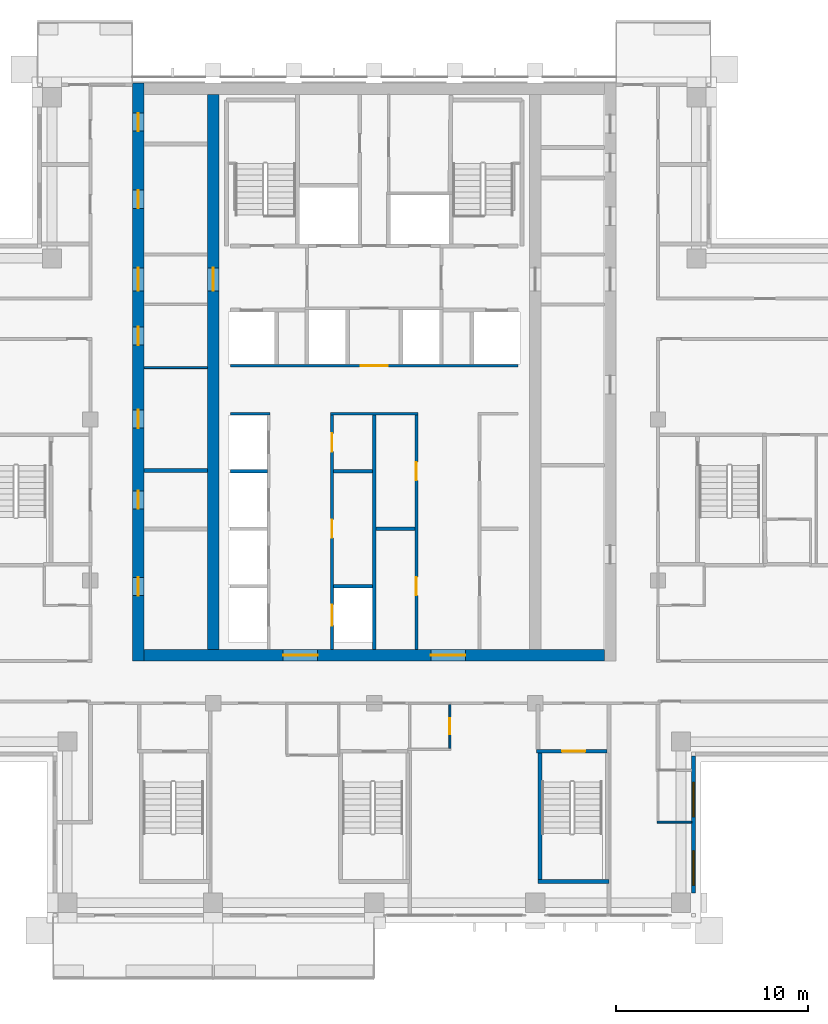
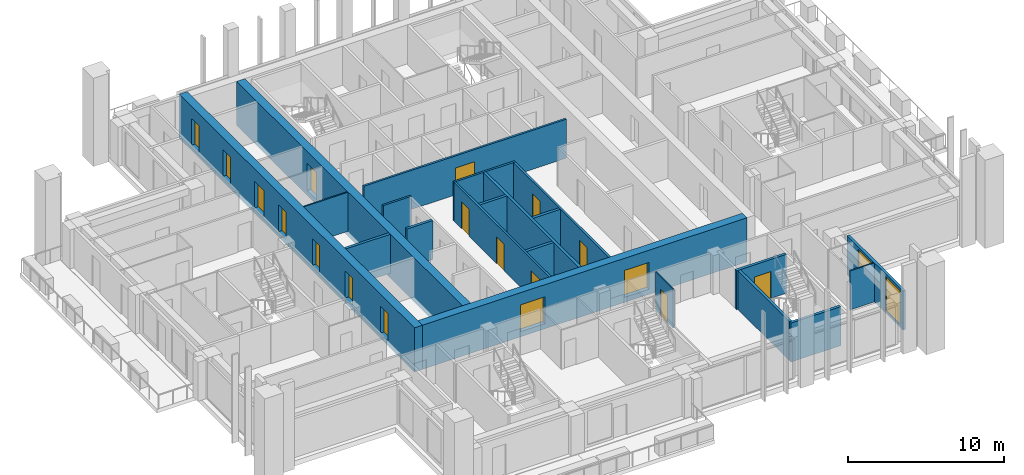
# One storey, part 8 of 17: 21 walls, 18 doors, 2 windows, 20 openings.
"""IFC4 building model written with IfcOpenShell, lengths in metres."""

from ifc_helpers import new_model, si_unit, direction, frame, frame_2d, origin, place, context, subcontext, project, spatial, rectangle, extrude, material, layer, layer_set, type_object, element, fill, save


model = new_model("IFC4")

# Units and contexts
model_context = context("Model", 3, precision=1e-05, world=origin(), true_north=direction((0.0, 1.0)))
body_context = subcontext(model_context, "Body", "Model", "MODEL_VIEW")
ifc_project = project(units=[si_unit("LENGTHUNIT", "METRE"), si_unit("AREAUNIT", "SQUARE_METRE"), si_unit("VOLUMEUNIT", "CUBIC_METRE"), si_unit("PLANEANGLEUNIT", "RADIAN"), si_unit("MASSUNIT", "GRAM", prefix="KILO")], contexts=[model_context])

# Site, building, storey
site_placement = place(None, origin())
site = spatial("IfcSite", under=ifc_project, at=site_placement, CompositionType="ELEMENT")
building_placement = place(site_placement, origin())
building = spatial("IfcBuilding", under=site, at=building_placement, Name="Vermilion Ogive Tower", CompositionType="ELEMENT")
storey_placement = place(building_placement, frame((0.0, 0.0, 192.800048828125)))
storey = spatial("IfcBuildingStorey", under=building, at=storey_placement, Name="L50", CompositionType="ELEMENT", Elevation=192.800048828125)

# Wall, openings, doors
ifc_material_1 = material(Name="Concrete B60", Category="concrete")
ifc_layer_1 = layer(ifc_material_1, 0.60009765625)
ifc_layer_set_1 = layer_set([ifc_layer_1], Name="Core wall 600 B60")
wall_type_1 = type_object("IfcWallType", Name="Core wall 600 B60", PredefinedType="SHEAR", material=ifc_layer_set_1)
wall_1_placement = place(storey_placement, frame((-12.300048828125, -8.39990234375, -0.400146484375), z_axis=(0.0, 0.0, 1.0), x_axis=(0.0, 1.0, 0.0)))
wall_1 = element("IfcWall", 1, at=wall_1_placement, inside=storey, type_object=wall_type_1, Name="L50-CORE-W", PredefinedType="SHEAR", context=body_context, shape_type="SweptSolid", body=[
    extrude(rectangle(XDim=30.14990234375, YDim=0.60009765625, at=frame_2d((15.074951171875, 0.0))), origin(), (0.0, 0.0, 1.0), 3.4501953125),
])
opening_1_placement = place(wall_1_placement, frame((3.415771484375, 0.0, 0.39990234375)))
opening_1 = element("IfcOpeningElement", 2, at=opening_1_placement, cuts=wall_1, Name="Opening DAD078", PredefinedType="OPENING", context=body_context, shape_type="SweptSolid", body=[
    extrude(rectangle(XDim=0.949951171875, YDim=2.10009765625, at=frame_2d((0.47509765625, 1.050048828125))), frame((0.0, 0.31005859375, 0.0), z_axis=(0.0, -1.0, 0.0), x_axis=(1.0, 0.0, 0.0)), (0.0, 0.0, 1.0), 0.6201171875),
])
opening_2_placement = place(wall_1_placement, frame((7.93212890625, 0.0, 0.39990234375)))
opening_2 = element("IfcOpeningElement", 3, at=opening_2_placement, cuts=wall_1, Name="Opening DAD079", PredefinedType="OPENING", context=body_context, shape_type="SweptSolid", body=[
    extrude(rectangle(XDim=0.949951171875, YDim=2.10009765625, at=frame_2d((0.47509765625, 1.050048828125))), frame((0.0, 0.31005859375, 0.0), z_axis=(0.0, -1.0, 0.0), x_axis=(1.0, 0.0, 0.0)), (0.0, 0.0, 1.0), 0.6201171875),
])
opening_3_placement = place(wall_1_placement, frame((12.1435546875, 0.0, 0.39990234375)))
opening_3 = element("IfcOpeningElement", 4, at=opening_3_placement, cuts=wall_1, Name="Opening DAD080", PredefinedType="OPENING", context=body_context, shape_type="SweptSolid", body=[
    extrude(rectangle(XDim=0.949951171875, YDim=2.10009765625, at=frame_2d((0.47509765625, 1.050048828125))), frame((0.0, 0.31005859375, 0.0), z_axis=(0.0, -1.0, 0.0), x_axis=(1.0, 0.0, 0.0)), (0.0, 0.0, 1.0), 0.6201171875),
])
opening_4_placement = place(wall_1_placement, frame((16.47705078125, 0.0, 0.39990234375)))
opening_4 = element("IfcOpeningElement", 5, at=opening_4_placement, cuts=wall_1, Name="Opening DAD081", PredefinedType="OPENING", context=body_context, shape_type="SweptSolid", body=[
    extrude(rectangle(XDim=0.949951171875, YDim=2.10009765625, at=frame_2d((0.47509765625, 1.050048828125))), frame((0.0, 0.31005859375, 0.0), z_axis=(0.0, -1.0, 0.0), x_axis=(1.0, 0.0, 0.0)), (0.0, 0.0, 1.0), 0.6201171875),
])
opening_5_placement = place(wall_1_placement, frame((23.60498046875, 0.0, 0.39990234375)))
opening_5 = element("IfcOpeningElement", 6, at=opening_5_placement, cuts=wall_1, Name="Opening DAD082", PredefinedType="OPENING", context=body_context, shape_type="SweptSolid", body=[
    extrude(rectangle(XDim=0.949951171875, YDim=2.10009765625, at=frame_2d((0.47509765625, 1.050048828125))), frame((0.0, 0.31005859375, 0.0), z_axis=(0.0, -1.0, 0.0), x_axis=(1.0, 0.0, 0.0)), (0.0, 0.0, 1.0), 0.6201171875),
])
opening_6_placement = place(wall_1_placement, frame((27.630126953125, 0.0, 0.39990234375)))
opening_6 = element("IfcOpeningElement", 7, at=opening_6_placement, cuts=wall_1, Name="Opening DAD083", PredefinedType="OPENING", context=body_context, shape_type="SweptSolid", body=[
    extrude(rectangle(XDim=0.949951171875, YDim=2.10009765625, at=frame_2d((0.47509765625, 1.050048828125))), frame((0.0, 0.31005859375, 0.0), z_axis=(0.0, -1.0, 0.0), x_axis=(1.0, 0.0, 0.0)), (0.0, 0.0, 1.0), 0.6201171875),
])
opening_7_placement = place(wall_1_placement, frame((19.300048828125, 0.0, 0.39990234375)))
opening_7 = element("IfcOpeningElement", 8, at=opening_7_placement, cuts=wall_1, Name="Opening DAM020", PredefinedType="OPENING", context=body_context, shape_type="SweptSolid", body=[
    extrude(rectangle(XDim=1.199951171875, YDim=2.10009765625, at=frame_2d((0.60009765625, 1.050048828125))), frame((0.0, 0.31005859375, 0.0), z_axis=(0.0, -1.0, 0.0), x_axis=(1.0, 0.0, 0.0)), (0.0, 0.0, 1.0), 0.6201171875),
])
ifc_material_2 = material(Name="Timber door leaf", Category="wood")
door_type_1 = type_object("IfcDoorType", Name="Link door 1200 x 2100 FD60S", OperationType="SINGLE_SWING_LEFT", PredefinedType="DOOR", material=ifc_material_2)
door_1_placement = place(opening_7_placement, origin())
door_1 = element("IfcDoor", 9, at=door_1_placement, inside=storey, type_object=door_type_1, Name="L50-CKW-XL", OperationType="SINGLE_SWING_LEFT", OverallHeight=2.10009765625, OverallWidth=1.199951171875, PredefinedType="DOOR", context=body_context, shape_type="SweptSolid", body=[
    extrude(rectangle(XDim=1.199951171875, YDim=2.10009765625, at=frame_2d((0.60009765625, 1.050048828125))), frame((0.0, 0.02490234375, 0.0), z_axis=(0.0, -1.0, 0.0), x_axis=(1.0, 0.0, 0.0)), (0.0, 0.0, 1.0), 0.050048828125),
])
fill(opening_7, door_1)
ifc_material_3 = material(Name="Timber door leaf", Category="wood")
door_type_2 = type_object("IfcDoorType", Name="Service door 950 x 2100 FD60", OperationType="SINGLE_SWING_LEFT", PredefinedType="DOOR", material=ifc_material_3)
door_2_placement = place(opening_1_placement, origin())
door_2 = element("IfcDoor", 10, at=door_2_placement, inside=storey, type_object=door_type_2, Name="L50-CKW-XR0", OperationType="SINGLE_SWING_LEFT", OverallHeight=2.10009765625, OverallWidth=0.949951171875, PredefinedType="DOOR", context=body_context, shape_type="SweptSolid", body=[
    extrude(rectangle(XDim=0.949951171875, YDim=2.10009765625, at=frame_2d((0.47509765625, 1.050048828125))), frame((0.0, 0.02490234375, 0.0), z_axis=(0.0, -1.0, 0.0), x_axis=(1.0, 0.0, 0.0)), (0.0, 0.0, 1.0), 0.050048828125),
])
fill(opening_1, door_2)
door_3_placement = place(opening_2_placement, origin())
door_3 = element("IfcDoor", 11, at=door_3_placement, inside=storey, type_object=door_type_2, Name="L50-CKW-XR1", OperationType="SINGLE_SWING_LEFT", OverallHeight=2.10009765625, OverallWidth=0.949951171875, PredefinedType="DOOR", context=body_context, shape_type="SweptSolid", body=[
    extrude(rectangle(XDim=0.949951171875, YDim=2.10009765625, at=frame_2d((0.47509765625, 1.050048828125))), frame((0.0, 0.02490234375, 0.0), z_axis=(0.0, -1.0, 0.0), x_axis=(1.0, 0.0, 0.0)), (0.0, 0.0, 1.0), 0.050048828125),
])
fill(opening_2, door_3)
door_4_placement = place(opening_3_placement, origin())
door_4 = element("IfcDoor", 12, at=door_4_placement, inside=storey, type_object=door_type_2, Name="L50-CKW-XR2", OperationType="SINGLE_SWING_LEFT", OverallHeight=2.10009765625, OverallWidth=0.949951171875, PredefinedType="DOOR", context=body_context, shape_type="SweptSolid", body=[
    extrude(rectangle(XDim=0.949951171875, YDim=2.10009765625, at=frame_2d((0.47509765625, 1.050048828125))), frame((0.0, 0.02490234375, 0.0), z_axis=(0.0, -1.0, 0.0), x_axis=(1.0, 0.0, 0.0)), (0.0, 0.0, 1.0), 0.050048828125),
])
fill(opening_3, door_4)
door_5_placement = place(opening_4_placement, origin())
door_5 = element("IfcDoor", 13, at=door_5_placement, inside=storey, type_object=door_type_2, Name="L50-CKW-XR3", OperationType="SINGLE_SWING_LEFT", OverallHeight=2.10009765625, OverallWidth=0.949951171875, PredefinedType="DOOR", context=body_context, shape_type="SweptSolid", body=[
    extrude(rectangle(XDim=0.949951171875, YDim=2.10009765625, at=frame_2d((0.47509765625, 1.050048828125))), frame((0.0, 0.02490234375, 0.0), z_axis=(0.0, -1.0, 0.0), x_axis=(1.0, 0.0, 0.0)), (0.0, 0.0, 1.0), 0.050048828125),
])
fill(opening_4, door_5)
door_6_placement = place(opening_5_placement, origin())
door_6 = element("IfcDoor", 14, at=door_6_placement, inside=storey, type_object=door_type_2, Name="L50-CKW-XR4", OperationType="SINGLE_SWING_LEFT", OverallHeight=2.10009765625, OverallWidth=0.949951171875, PredefinedType="DOOR", context=body_context, shape_type="SweptSolid", body=[
    extrude(rectangle(XDim=0.949951171875, YDim=2.10009765625, at=frame_2d((0.47509765625, 1.050048828125))), frame((0.0, 0.02490234375, 0.0), z_axis=(0.0, -1.0, 0.0), x_axis=(1.0, 0.0, 0.0)), (0.0, 0.0, 1.0), 0.050048828125),
])
fill(opening_5, door_6)
door_7_placement = place(opening_6_placement, origin())
door_7 = element("IfcDoor", 15, at=door_7_placement, inside=storey, type_object=door_type_2, Name="L50-CKW-XR5", OperationType="SINGLE_SWING_LEFT", OverallHeight=2.10009765625, OverallWidth=0.949951171875, PredefinedType="DOOR", context=body_context, shape_type="SweptSolid", body=[
    extrude(rectangle(XDim=0.949951171875, YDim=2.10009765625, at=frame_2d((0.47509765625, 1.050048828125))), frame((0.0, 0.02490234375, 0.0), z_axis=(0.0, -1.0, 0.0), x_axis=(1.0, 0.0, 0.0)), (0.0, 0.0, 1.0), 0.050048828125),
])
fill(opening_6, door_7)

wall_2_placement = place(storey_placement, frame((-12.0, -8.10009765625, -0.400146484375), z_axis=(0.0, 0.0, 1.0), x_axis=(1.0, 0.0, 0.0)))
wall_2 = element("IfcWall", 16, at=wall_2_placement, inside=storey, type_object=wall_type_1, Name="L50-CORE-S", PredefinedType="SHEAR", context=body_context, shape_type="SweptSolid", body=[
    extrude(rectangle(XDim=24.0, YDim=0.60009765625, at=frame_2d((12.0, 0.0))), origin(), (0.0, 0.0, 1.0), 3.4501953125),
])
opening_8_placement = place(wall_2_placement, frame((7.25, 0.0, 0.39990234375)))
opening_8 = element("IfcOpeningElement", 17, at=opening_8_placement, cuts=wall_2, Name="Opening DAH039", PredefinedType="OPENING", context=body_context, shape_type="SweptSolid", body=[
    extrude(rectangle(XDim=1.800048828125, YDim=2.10009765625, at=frame_2d((0.89990234375, 1.050048828125))), frame((0.0, 0.31005859375, 0.0), z_axis=(0.0, -1.0, 0.0), x_axis=(1.0, 0.0, 0.0)), (0.0, 0.0, 1.0), 0.6201171875),
])
opening_9_placement = place(wall_2_placement, frame((14.949951171875, 0.0, 0.39990234375)))
opening_9 = element("IfcOpeningElement", 18, at=opening_9_placement, cuts=wall_2, Name="Opening DAH040", PredefinedType="OPENING", context=body_context, shape_type="SweptSolid", body=[
    extrude(rectangle(XDim=1.800048828125, YDim=2.10009765625, at=frame_2d((0.89990234375, 1.050048828125))), frame((0.0, 0.31005859375, 0.0), z_axis=(0.0, -1.0, 0.0), x_axis=(1.0, 0.0, 0.0)), (0.0, 0.0, 1.0), 0.6201171875),
])
ifc_material_4 = material(Name="Timber door leaf", Category="wood")
door_type_3 = type_object("IfcDoorType", Name="Core entry door 1800 x 2100 FD60S", OperationType="DOUBLE_DOOR_SINGLE_SWING", PredefinedType="DOOR", material=ifc_material_4)
door_8_placement = place(opening_8_placement, origin())
door_8 = element("IfcDoor", 19, at=door_8_placement, inside=storey, type_object=door_type_3, Name="L50-CK-XD1", OperationType="SINGLE_SWING_LEFT", OverallHeight=2.10009765625, OverallWidth=1.800048828125, PredefinedType="DOOR", context=body_context, shape_type="SweptSolid", body=[
    extrude(rectangle(XDim=1.800048828125, YDim=2.10009765625, at=frame_2d((0.89990234375, 1.050048828125))), frame((0.0, 0.02490234375, 0.0), z_axis=(0.0, -1.0, 0.0), x_axis=(1.0, 0.0, 0.0)), (0.0, 0.0, 1.0), 0.050048828125),
])
fill(opening_8, door_8)
door_9_placement = place(opening_9_placement, origin())
door_9 = element("IfcDoor", 20, at=door_9_placement, inside=storey, type_object=door_type_3, Name="L50-CK-XD2", OperationType="SINGLE_SWING_LEFT", OverallHeight=2.10009765625, OverallWidth=1.800048828125, PredefinedType="DOOR", context=body_context, shape_type="SweptSolid", body=[
    extrude(rectangle(XDim=1.800048828125, YDim=2.10009765625, at=frame_2d((0.89990234375, 1.050048828125))), frame((0.0, 0.02490234375, 0.0), z_axis=(0.0, -1.0, 0.0), x_axis=(1.0, 0.0, 0.0)), (0.0, 0.0, 1.0), 0.050048828125),
])
fill(opening_9, door_9)

# Wall, opening, door
wall_3_placement = place(storey_placement, frame((-8.39990234375, -7.800048828125, -0.400146484375), z_axis=(0.0, 0.0, 1.0), x_axis=(0.0, 1.0, 0.0)))
wall_3 = element("IfcWall", 21, at=wall_3_placement, inside=storey, type_object=wall_type_1, Name="L50-CORE-WEB1", PredefinedType="SHEAR", context=body_context, shape_type="SweptSolid", body=[
    extrude(rectangle(XDim=28.949951171875, YDim=0.60009765625, at=frame_2d((14.47509765625, 0.0))), origin(), (0.0, 0.0, 1.0), 3.4501953125),
])
opening_10_placement = place(wall_3_placement, frame((18.699951171875, 0.0, 0.39990234375)))
opening_10 = element("IfcOpeningElement", 22, at=opening_10_placement, cuts=wall_3, Name="Opening DAP015", PredefinedType="OPENING", context=body_context, shape_type="SweptSolid", body=[
    extrude(rectangle(XDim=1.199951171875, YDim=2.10009765625, at=frame_2d((0.60009765625, 1.050048828125))), frame((0.0, 0.31005859375, 0.0), z_axis=(0.0, -1.0, 0.0), x_axis=(1.0, 0.0, 0.0)), (0.0, 0.0, 1.0), 0.6201171875),
])
door_10_placement = place(opening_10_placement, origin())
door_10 = element("IfcDoor", 23, at=door_10_placement, inside=storey, type_object=door_type_1, Name="L50-CKW-XW", OperationType="SINGLE_SWING_LEFT", OverallHeight=2.10009765625, OverallWidth=1.199951171875, PredefinedType="DOOR", context=body_context, shape_type="SweptSolid", body=[
    extrude(rectangle(XDim=1.199951171875, YDim=2.10009765625, at=frame_2d((0.60009765625, 1.050048828125))), frame((0.0, 0.02490234375, 0.0), z_axis=(0.0, -1.0, 0.0), x_axis=(1.0, 0.0, 0.0)), (0.0, 0.0, 1.0), 0.050048828125),
])
fill(opening_10, door_10)

# Wall
ifc_material_5 = material(Name="Gypsum board partition on steel studs", Category="steel")
ifc_layer_2 = layer(ifc_material_5, 0.10009765625)
ifc_layer_set_2 = layer_set([ifc_layer_2], Name="Partition 100 bath")
wall_type_2 = type_object("IfcWallType", Name="Partition 100 bath", PredefinedType="PARTITIONING", material=ifc_layer_set_2)
wall_4_placement = place(storey_placement, frame((14.751953125, -16.800048828125, 0.0), z_axis=(0.0, 0.0, 1.0), x_axis=(1.0, 0.0, 0.0)))
element("IfcWall", 24, at=wall_4_placement, inside=storey, type_object=wall_type_2, Name="L50-W-W005", PredefinedType="PARTITIONING", context=body_context, shape_type="SweptSolid", body=[
    extrude(rectangle(XDim=1.798095703125, YDim=0.10009765625, at=frame_2d((0.89892578125, 0.0))), origin(), (0.0, 0.0, 1.0), 3.050048828125),
])

# Wall, opening, door
wall_5_placement = place(storey_placement, frame((3.949951171875, -12.949951171875, 0.0), z_axis=(0.0, 0.0, 1.0), x_axis=(0.0, 1.0, 0.0)))
wall_5 = element("IfcWall", 25, at=wall_5_placement, inside=storey, type_object=wall_type_2, Name="L50-W-W068", PredefinedType="PARTITIONING", context=body_context, shape_type="SweptSolid", body=[
    extrude(rectangle(XDim=2.27490234375, YDim=0.10009765625, at=frame_2d((1.137451171875, 0.0))), origin(), (0.0, 0.0, 1.0), 3.050048828125),
])
opening_11_placement = place(wall_5_placement, frame((0.724853515625, 0.0, 0.0)))
opening_11 = element("IfcOpeningElement", 26, at=opening_11_placement, cuts=wall_5, Name="Opening D4G3014", PredefinedType="OPENING", context=body_context, shape_type="SweptSolid", body=[
    extrude(rectangle(XDim=0.85009765625, YDim=2.10009765625, at=frame_2d((0.425048828125, 1.050048828125))), frame((0.0, 0.06005859375, 0.0), z_axis=(0.0, -1.0, 0.0), x_axis=(1.0, 0.0, 0.0)), (0.0, 0.0, 1.0), 0.1201171875),
])
ifc_material_6 = material(Name="Timber door leaf", Category="wood")
door_type_4 = type_object("IfcDoorType", Name="Bath door 850 x 2100 FD30", OperationType="SINGLE_SWING_LEFT", PredefinedType="DOOR", material=ifc_material_6)
door_11_placement = place(opening_11_placement, origin())
door_11 = element("IfcDoor", 27, at=door_11_placement, inside=storey, type_object=door_type_4, Name="L50-D-D014", OperationType="SINGLE_SWING_LEFT", OverallHeight=2.10009765625, OverallWidth=0.85009765625, PredefinedType="DOOR", context=body_context, shape_type="SweptSolid", body=[
    extrude(rectangle(XDim=0.85009765625, YDim=2.10009765625, at=frame_2d((0.425048828125, 1.050048828125))), frame((0.0, 0.02490234375, 0.0), z_axis=(0.0, -1.0, 0.0), x_axis=(1.0, 0.0, 0.0)), (0.0, 0.0, 1.0), 0.050048828125),
])
fill(opening_11, door_11)

# Walls
wall_6_placement = place(storey_placement, frame((-11.9990234375, 6.904052734375, 0.0), z_axis=(0.0, 0.0, 1.0), x_axis=(1.0, 0.0, 0.0)))
element("IfcWall", 28, at=wall_6_placement, inside=storey, type_object=wall_type_2, Name="L50-CKW-W-W003", PredefinedType="PARTITIONING", context=body_context, shape_type="SweptSolid", body=[
    extrude(rectangle(XDim=3.298095703125, YDim=0.10009765625, at=frame_2d((1.64892578125, 0.0))), origin(), (0.0, 0.0, 1.0), 3.050048828125),
])
ifc_material_7 = material(Name="Gypsum board partition on steel studs", Category="steel")
ifc_layer_3 = layer(ifc_material_7, 0.14990234375)
ifc_layer_set_3 = layer_set([ifc_layer_3], Name="Partition 150 corridor")
wall_type_3 = type_object("IfcWallType", Name="Partition 150 corridor", PredefinedType="PARTITIONING", material=ifc_layer_set_3)
wall_7_placement = place(storey_placement, frame((-7.5, 4.5, 0.0), z_axis=(0.0, 0.0, 1.0), x_axis=(1.0, 0.0, 0.0)))
element("IfcWall", 29, at=wall_7_placement, inside=storey, type_object=wall_type_3, Name="L50-CK-W-W008", PredefinedType="PARTITIONING", context=body_context, shape_type="SweptSolid", body=[
    extrude(rectangle(XDim=2.074951171875, YDim=0.14990234375, at=frame_2d((1.03759765625, 0.0))), origin(), (0.0, 0.0, 1.0), 3.050048828125),
])
wall_8_placement = place(storey_placement, frame((-2.27490234375, 4.5, 0.0), z_axis=(0.0, 0.0, 1.0), x_axis=(1.0, 0.0, 0.0)))
element("IfcWall", 30, at=wall_8_placement, inside=storey, type_object=wall_type_3, Name="L50-CK-W-W009", PredefinedType="PARTITIONING", context=body_context, shape_type="SweptSolid", body=[
    extrude(rectangle(XDim=4.5498046875, YDim=0.14990234375, at=frame_2d((2.27490234375, 0.0))), origin(), (0.0, 0.0, 1.0), 3.050048828125),
])

# Wall, opening, door
wall_9_placement = place(storey_placement, frame((-7.5, 7.0, 0.0), z_axis=(0.0, 0.0, 1.0), x_axis=(1.0, 0.0, 0.0)))
wall_9 = element("IfcWall", 31, at=wall_9_placement, inside=storey, type_object=wall_type_3, Name="L50-CK-W-W011", PredefinedType="PARTITIONING", context=body_context, shape_type="SweptSolid", body=[
    extrude(rectangle(XDim=15.0, YDim=0.14990234375, at=frame_2d((7.5, 0.0))), origin(), (0.0, 0.0, 1.0), 3.050048828125),
])
opening_12_placement = place(wall_9_placement, frame((6.800048828125, 0.0, 0.0)))
opening_12 = element("IfcOpeningElement", 32, at=opening_12_placement, cuts=wall_9, Name="Opening DAA445", PredefinedType="OPENING", context=body_context, shape_type="SweptSolid", body=[
    extrude(rectangle(XDim=1.39990234375, YDim=2.10009765625, at=frame_2d((0.699951171875, 1.050048828125))), frame((0.0, 0.0849609375, 0.0), z_axis=(0.0, -1.0, 0.0), x_axis=(1.0, 0.0, 0.0)), (0.0, 0.0, 1.0), 0.169921875),
])
ifc_material_8 = material(Name="Timber door leaf", Category="wood")
door_type_5 = type_object("IfcDoorType", Name="Lobby door 1400 x 2100 FD60S", OperationType="SINGLE_SWING_LEFT", PredefinedType="DOOR", material=ifc_material_8)
door_12_placement = place(opening_12_placement, origin())
door_12 = element("IfcDoor", 33, at=door_12_placement, inside=storey, type_object=door_type_5, Name="L50-CK-D-D016", OperationType="SINGLE_SWING_RIGHT", OverallHeight=2.10009765625, OverallWidth=1.39990234375, PredefinedType="DOOR", context=body_context, shape_type="SweptSolid", body=[
    extrude(rectangle(XDim=1.39990234375, YDim=2.10009765625, at=frame_2d((0.699951171875, 1.050048828125))), frame((0.0, 0.02490234375, 0.0), z_axis=(0.0, -1.0, 0.0), x_axis=(1.0, 0.0, 0.0)), (0.0, 0.0, 1.0), 0.050048828125),
])
fill(opening_12, door_12)

# Wall, openings, doors
wall_10_placement = place(storey_placement, frame((-2.199951171875, -7.799072265625, 0.0), z_axis=(0.0, 0.0, 1.0), x_axis=(0.0, 1.0, 0.0)))
wall_10 = element("IfcWall", 34, at=wall_10_placement, inside=storey, type_object=wall_type_3, Name="L50-CK-W-W025", PredefinedType="PARTITIONING", context=body_context, shape_type="SweptSolid", body=[
    extrude(rectangle(XDim=12.22412109375, YDim=0.14990234375, at=frame_2d((6.112060546875, 0.0))), origin(), (0.0, 0.0, 1.0), 3.050048828125),
])
opening_13_placement = place(wall_10_placement, frame((1.2490234375, 0.0, 0.0)))
opening_13 = element("IfcOpeningElement", 35, at=opening_13_placement, cuts=wall_10, Name="Opening DAA462", PredefinedType="OPENING", context=body_context, shape_type="SweptSolid", body=[
    extrude(rectangle(XDim=1.10009765625, YDim=2.10009765625, at=frame_2d((0.550048828125, 1.050048828125))), frame((0.0, 0.0849609375, 0.0), z_axis=(0.0, -1.0, 0.0), x_axis=(1.0, 0.0, 0.0)), (0.0, 0.0, 1.0), 0.169921875),
])
opening_14_placement = place(wall_10_placement, frame((5.823974609375, 0.0, 0.0)))
opening_14 = element("IfcOpeningElement", 36, at=opening_14_placement, cuts=wall_10, Name="Opening DAA448", PredefinedType="OPENING", context=body_context, shape_type="SweptSolid", body=[
    extrude(rectangle(XDim=0.949951171875, YDim=2.10009765625, at=frame_2d((0.47509765625, 1.050048828125))), frame((0.0, 0.0849609375, 0.0), z_axis=(0.0, -1.0, 0.0), x_axis=(1.0, 0.0, 0.0)), (0.0, 0.0, 1.0), 0.169921875),
])
opening_15_placement = place(wall_10_placement, frame((10.323974609375, 0.0, 0.0)))
opening_15 = element("IfcOpeningElement", 37, at=opening_15_placement, cuts=wall_10, Name="Opening DAA449", PredefinedType="OPENING", context=body_context, shape_type="SweptSolid", body=[
    extrude(rectangle(XDim=0.949951171875, YDim=2.10009765625, at=frame_2d((0.47509765625, 1.050048828125))), frame((0.0, 0.0849609375, 0.0), z_axis=(0.0, -1.0, 0.0), x_axis=(1.0, 0.0, 0.0)), (0.0, 0.0, 1.0), 0.169921875),
])
ifc_material_9 = material(Name="Stainless steel", Category="steel")
door_type_6 = type_object("IfcDoorType", Name="Lift landing door 1100 x 2100", OperationType="SLIDING_TO_LEFT", PredefinedType="DOOR", material=ifc_material_9)
door_13_placement = place(opening_13_placement, origin())
door_13 = element("IfcDoor", 38, at=door_13_placement, inside=storey, type_object=door_type_6, Name="L50-CK-D-D005", OperationType="SLIDING_TO_LEFT", OverallHeight=2.10009765625, OverallWidth=1.10009765625, PredefinedType="DOOR", context=body_context, shape_type="SweptSolid", body=[
    extrude(rectangle(XDim=1.10009765625, YDim=2.10009765625, at=frame_2d((0.550048828125, 1.050048828125))), frame((0.0, 0.02490234375, 0.0), z_axis=(0.0, -1.0, 0.0), x_axis=(1.0, 0.0, 0.0)), (0.0, 0.0, 1.0), 0.050048828125),
])
fill(opening_13, door_13)
door_14_placement = place(opening_14_placement, origin())
door_14 = element("IfcDoor", 39, at=door_14_placement, inside=storey, type_object=door_type_2, Name="L50-CK-D-D006", OperationType="SINGLE_SWING_LEFT", OverallHeight=2.10009765625, OverallWidth=0.949951171875, PredefinedType="DOOR", context=body_context, shape_type="SweptSolid", body=[
    extrude(rectangle(XDim=0.949951171875, YDim=2.10009765625, at=frame_2d((0.47509765625, 1.050048828125))), frame((0.0, 0.02490234375, 0.0), z_axis=(0.0, -1.0, 0.0), x_axis=(1.0, 0.0, 0.0)), (0.0, 0.0, 1.0), 0.050048828125),
])
fill(opening_14, door_14)
door_15_placement = place(opening_15_placement, origin())
door_15 = element("IfcDoor", 40, at=door_15_placement, inside=storey, type_object=door_type_2, Name="L50-CK-D-D007", OperationType="SINGLE_SWING_RIGHT", OverallHeight=2.10009765625, OverallWidth=0.949951171875, PredefinedType="DOOR", context=body_context, shape_type="SweptSolid", body=[
    extrude(rectangle(XDim=0.949951171875, YDim=2.10009765625, at=frame_2d((0.47509765625, 1.050048828125))), frame((0.0, 0.02490234375, 0.0), z_axis=(0.0, -1.0, 0.0), x_axis=(1.0, 0.0, 0.0)), (0.0, 0.0, 1.0), 0.050048828125),
])
fill(opening_15, door_15)

wall_11_placement = place(storey_placement, frame((2.199951171875, -7.799072265625, 0.0), z_axis=(0.0, 0.0, 1.0), x_axis=(0.0, 1.0, 0.0)))
wall_11 = element("IfcWall", 41, at=wall_11_placement, inside=storey, type_object=wall_type_3, Name="L50-CK-W-W032", PredefinedType="PARTITIONING", context=body_context, shape_type="SweptSolid", body=[
    extrude(rectangle(XDim=12.22412109375, YDim=0.14990234375, at=frame_2d((6.112060546875, 0.0))), origin(), (0.0, 0.0, 1.0), 3.050048828125),
])
opening_16_placement = place(wall_11_placement, frame((2.823974609375, 0.0, 0.0)))
opening_16 = element("IfcOpeningElement", 42, at=opening_16_placement, cuts=wall_11, Name="Opening DAA450", PredefinedType="OPENING", context=body_context, shape_type="SweptSolid", body=[
    extrude(rectangle(XDim=0.949951171875, YDim=2.10009765625, at=frame_2d((0.47509765625, 1.050048828125))), frame((0.0, 0.0849609375, 0.0), z_axis=(0.0, -1.0, 0.0), x_axis=(1.0, 0.0, 0.0)), (0.0, 0.0, 1.0), 0.169921875),
])
opening_17_placement = place(wall_11_placement, frame((8.823974609375, 0.0, 0.0)))
opening_17 = element("IfcOpeningElement", 43, at=opening_17_placement, cuts=wall_11, Name="Opening DAA451", PredefinedType="OPENING", context=body_context, shape_type="SweptSolid", body=[
    extrude(rectangle(XDim=0.949951171875, YDim=2.10009765625, at=frame_2d((0.47509765625, 1.050048828125))), frame((0.0, 0.0849609375, 0.0), z_axis=(0.0, -1.0, 0.0), x_axis=(1.0, 0.0, 0.0)), (0.0, 0.0, 1.0), 0.169921875),
])
door_16_placement = place(opening_16_placement, origin())
door_16 = element("IfcDoor", 44, at=door_16_placement, inside=storey, type_object=door_type_2, Name="L50-CK-D-D008", OperationType="SINGLE_SWING_RIGHT", OverallHeight=2.10009765625, OverallWidth=0.949951171875, PredefinedType="DOOR", context=body_context, shape_type="SweptSolid", body=[
    extrude(rectangle(XDim=0.949951171875, YDim=2.10009765625, at=frame_2d((0.47509765625, 1.050048828125))), frame((0.0, 0.02490234375, 0.0), z_axis=(0.0, -1.0, 0.0), x_axis=(1.0, 0.0, 0.0)), (0.0, 0.0, 1.0), 0.050048828125),
])
fill(opening_16, door_16)
door_17_placement = place(opening_17_placement, origin())
door_17 = element("IfcDoor", 45, at=door_17_placement, inside=storey, type_object=door_type_2, Name="L50-CK-D-D009", OperationType="SINGLE_SWING_RIGHT", OverallHeight=2.10009765625, OverallWidth=0.949951171875, PredefinedType="DOOR", context=body_context, shape_type="SweptSolid", body=[
    extrude(rectangle(XDim=0.949951171875, YDim=2.10009765625, at=frame_2d((0.47509765625, 1.050048828125))), frame((0.0, 0.02490234375, 0.0), z_axis=(0.0, -1.0, 0.0), x_axis=(1.0, 0.0, 0.0)), (0.0, 0.0, 1.0), 0.050048828125),
])
fill(opening_17, door_17)

# Walls
ifc_material_10 = material(Name="Gypsum board partition on steel studs", Category="steel")
ifc_layer_4 = layer(ifc_material_10, 0.199951171875)
ifc_layer_set_4 = layer_set([ifc_layer_4], Name="Partition 200 party")
wall_type_4 = type_object("IfcWallType", Name="Partition 200 party", PredefinedType="PARTITIONING", material=ifc_layer_set_4)
for number, where, z_axis, x_axis, name in (
    (46, (-2.125, -4.5, 0.0), (0.0, 0.0, 1.0), (1.0, 0.0, 0.0), "L50-CK-W-W002"),
    (47, (0.10009765625, -1.5, 0.0), (0.0, 0.0, 1.0), (1.0, 0.0, 0.0), "L50-CK-W-W004"),
):
    element("IfcWall", number, at=place(storey_placement, frame(where, z_axis=z_axis, x_axis=x_axis)), inside=storey, type_object=wall_type_4, Name=name, PredefinedType="PARTITIONING", context=body_context, shape_type="SweptSolid", body=[
        extrude(rectangle(XDim=2.02490234375, YDim=0.199951171875, at=frame_2d((1.012451171875, 0.0))), origin(), (0.0, 0.0, 1.0), 3.050048828125),
    ])
wall_12_placement = place(storey_placement, frame((-7.5, 1.5, 0.0), z_axis=(0.0, 0.0, 1.0), x_axis=(1.0, 0.0, 0.0)))
element("IfcWall", 48, at=wall_12_placement, inside=storey, type_object=wall_type_4, Name="L50-CK-W-W006", PredefinedType="PARTITIONING", context=body_context, shape_type="SweptSolid", body=[
    extrude(rectangle(XDim=1.925048828125, YDim=0.199951171875, at=frame_2d((0.96240234375, 0.0))), origin(), (0.0, 0.0, 1.0), 3.050048828125),
])
wall_13_placement = place(storey_placement, frame((-2.125, 1.5, 0.0), z_axis=(0.0, 0.0, 1.0), x_axis=(1.0, 0.0, 0.0)))
element("IfcWall", 49, at=wall_13_placement, inside=storey, type_object=wall_type_4, Name="L50-CK-W-W007", PredefinedType="PARTITIONING", context=body_context, shape_type="SweptSolid", body=[
    extrude(rectangle(XDim=2.02490234375, YDim=0.199951171875, at=frame_2d((1.012451171875, 0.0))), origin(), (0.0, 0.0, 1.0), 3.050048828125),
])
wall_14_placement = place(storey_placement, frame((0.0, -7.799072265625, 0.0), z_axis=(0.0, 0.0, 1.0), x_axis=(0.0, 1.0, 0.0)))
element("IfcWall", 50, at=wall_14_placement, inside=storey, type_object=wall_type_4, Name="L50-CK-W-W028", PredefinedType="PARTITIONING", context=body_context, shape_type="SweptSolid", body=[
    extrude(rectangle(XDim=12.22412109375, YDim=0.199951171875, at=frame_2d((6.112060546875, 0.0))), origin(), (0.0, 0.0, 1.0), 3.050048828125),
])
wall_15_placement = place(storey_placement, frame((-11.9990234375, 1.532958984375, 0.0), z_axis=(0.0, 0.0, 1.0), x_axis=(1.0, 0.0, 0.0)))
element("IfcWall", 51, at=wall_15_placement, inside=storey, type_object=wall_type_4, Name="L50-CKW-W-W002", PredefinedType="PARTITIONING", context=body_context, shape_type="SweptSolid", body=[
    extrude(rectangle(XDim=3.298095703125, YDim=0.199951171875, at=frame_2d((1.64892578125, 0.0))), origin(), (0.0, 0.0, 1.0), 3.050048828125),
])
ifc_material_11 = material(Name="Concrete B60", Category="concrete")
ifc_layer_5 = layer(ifc_material_11, 0.199951171875)
ifc_layer_set_5 = layer_set([ifc_layer_5], Name="Stair shaft wall 200 Concrete B60")
wall_type_5 = type_object("IfcWallType", Name="Stair shaft wall 200 Concrete B60", PredefinedType="SOLIDWALL", material=ifc_layer_set_5)
wall_16_placement = place(storey_placement, frame((8.552001953125, -19.89990234375, 0.0), z_axis=(0.0, 0.0, 1.0), x_axis=(1.0, 0.0, 0.0)))
element("IfcWall", 52, at=wall_16_placement, inside=storey, type_object=wall_type_5, Name="L50-W-W003", PredefinedType="SOLIDWALL", context=body_context, shape_type="SweptSolid", body=[
    extrude(rectangle(XDim=3.696044921875, YDim=0.199951171875, at=frame_2d((1.84814453125, 0.0))), origin(), (0.0, 0.0, 1.0), 3.050048828125),
])

# Wall, opening, door
wall_17_placement = place(storey_placement, frame((8.451904296875, -13.10009765625, 0.0), z_axis=(0.0, 0.0, 1.0), x_axis=(1.0, 0.0, 0.0)))
wall_17 = element("IfcWall", 53, at=wall_17_placement, inside=storey, type_object=wall_type_5, Name="L50-W-W010", PredefinedType="SOLIDWALL", context=body_context, shape_type="SweptSolid", body=[
    extrude(rectangle(XDim=3.696044921875, YDim=0.199951171875, at=frame_2d((1.84814453125, 0.0))), origin(), (0.0, 0.0, 1.0), 3.050048828125),
])
opening_18_placement = place(wall_17_placement, frame((1.34814453125, 0.0, 0.0)))
opening_18 = element("IfcOpeningElement", 54, at=opening_18_placement, cuts=wall_17, Name="Opening D4G3030", PredefinedType="OPENING", context=body_context, shape_type="SweptSolid", body=[
    extrude(rectangle(XDim=1.199951171875, YDim=2.10009765625, at=frame_2d((0.60009765625, 1.050048828125))), frame((0.0, 0.10986328125, 0.0), z_axis=(0.0, -1.0, 0.0), x_axis=(1.0, 0.0, 0.0)), (0.0, 0.0, 1.0), 0.219970703125),
])
ifc_material_12 = material(Name="Timber door leaf", Category="wood")
door_type_7 = type_object("IfcDoorType", Name="Stair door 1200 x 2100 FD60S", OperationType="SINGLE_SWING_LEFT", PredefinedType="DOOR", material=ifc_material_12)
door_18_placement = place(opening_18_placement, origin())
door_18 = element("IfcDoor", 55, at=door_18_placement, inside=storey, type_object=door_type_7, Name="L50-D-D030", OperationType="SINGLE_SWING_RIGHT", OverallHeight=2.10009765625, OverallWidth=1.199951171875, PredefinedType="DOOR", context=body_context, shape_type="SweptSolid", body=[
    extrude(rectangle(XDim=1.199951171875, YDim=2.10009765625, at=frame_2d((0.60009765625, 1.050048828125))), frame((0.0, 0.02490234375, 0.0), z_axis=(0.0, -1.0, 0.0), x_axis=(1.0, 0.0, 0.0)), (0.0, 0.0, 1.0), 0.050048828125),
])
fill(opening_18, door_18)

# Wall
wall_18_placement = place(storey_placement, frame((8.64990234375, -19.798095703125, 0.0), z_axis=(0.0, 0.0, 1.0), x_axis=(0.0, 1.0, 0.0)))
element("IfcWall", 56, at=wall_18_placement, inside=storey, type_object=wall_type_5, Name="L50-W-W070", PredefinedType="SOLIDWALL", context=body_context, shape_type="SweptSolid", body=[
    extrude(rectangle(XDim=6.59619140625, YDim=0.199951171875, at=frame_2d((3.298095703125, 0.0))), origin(), (0.0, 0.0, 1.0), 3.050048828125),
])

# Wall, openings, windows
ifc_material_13 = material(Name="Aluminium window wall framing", Category="aluminium")
ifc_layer_6 = layer(ifc_material_13, 0.199951171875)
ifc_layer_set_6 = layer_set([ifc_layer_6], Name="Window wall")
wall_type_6 = type_object("IfcWallType", Name="Window wall", PredefinedType="STANDARD", material=ifc_layer_set_6)
wall_19_placement = place(storey_placement, frame((16.64990234375, -20.5, 0.0), z_axis=(0.0, 0.0, 1.0), x_axis=(0.0, 1.0, 0.0)))
wall_19 = element("IfcWall", 57, at=wall_19_placement, inside=storey, type_object=wall_type_6, Name="Window wall X11", PredefinedType="STANDARD", context=body_context, shape_type="SweptSolid", body=[
    extrude(rectangle(XDim=7.14990234375, YDim=0.199951171875, at=frame_2d((3.574951171875, 0.0))), origin(), (0.0, 0.0, 1.0), 3.050048828125),
])
opening_19_placement = place(wall_19_placement, frame((0.39990234375, 0.0, 0.199951171875)))
opening_19 = element("IfcOpeningElement", 58, at=opening_19_placement, cuts=wall_19, Name="Opening W1-X195", PredefinedType="OPENING", context=body_context, shape_type="SweptSolid", body=[
    extrude(rectangle(XDim=1.800048828125, YDim=2.64990234375, at=frame_2d((0.89990234375, 1.324951171875))), frame((0.0, 0.10986328125, 0.0), z_axis=(0.0, -1.0, 0.0), x_axis=(1.0, 0.0, 0.0)), (0.0, 0.0, 1.0), 0.219970703125),
])
opening_20_placement = place(wall_19_placement, frame((3.97509765625, 0.0, 0.199951171875)))
opening_20 = element("IfcOpeningElement", 59, at=opening_20_placement, cuts=wall_19, Name="Opening W1-X196", PredefinedType="OPENING", context=body_context, shape_type="SweptSolid", body=[
    extrude(rectangle(XDim=1.800048828125, YDim=2.64990234375, at=frame_2d((0.89990234375, 1.324951171875))), frame((0.0, 0.10986328125, 0.0), z_axis=(0.0, -1.0, 0.0), x_axis=(1.0, 0.0, 0.0)), (0.0, 0.0, 1.0), 0.219970703125),
])
ifc_material_14 = material(Name="Aluminium framed double glazing", Category="aluminium")
window_type = type_object("IfcWindowType", Name="Guest window W1", PartitioningType="SINGLE_PANEL", PredefinedType="WINDOW", material=ifc_material_14)
window_1_placement = place(opening_19_placement, origin())
window_1 = element("IfcWindow", 60, at=window_1_placement, inside=storey, type_object=window_type, Name="Window X195", OverallHeight=2.64990234375, OverallWidth=1.800048828125, PartitioningType="SINGLE_PANEL", PredefinedType="WINDOW", context=body_context, shape_type="SweptSolid", body=[
    extrude(rectangle(XDim=1.800048828125, YDim=2.64990234375, at=frame_2d((0.89990234375, 1.324951171875))), frame((0.0, 0.030029296875, 0.0), z_axis=(0.0, -1.0, 0.0), x_axis=(1.0, 0.0, 0.0)), (0.0, 0.0, 1.0), 0.06005859375),
])
fill(opening_19, window_1)
window_2_placement = place(opening_20_placement, origin())
window_2 = element("IfcWindow", 61, at=window_2_placement, inside=storey, type_object=window_type, Name="Window X196", OverallHeight=2.64990234375, OverallWidth=1.800048828125, PartitioningType="SINGLE_PANEL", PredefinedType="WINDOW", context=body_context, shape_type="SweptSolid", body=[
    extrude(rectangle(XDim=1.800048828125, YDim=2.64990234375, at=frame_2d((0.89990234375, 1.324951171875))), frame((0.0, 0.030029296875, 0.0), z_axis=(0.0, -1.0, 0.0), x_axis=(1.0, 0.0, 0.0)), (0.0, 0.0, 1.0), 0.06005859375),
])
fill(opening_20, window_2)

save(model, "model.ifc")
